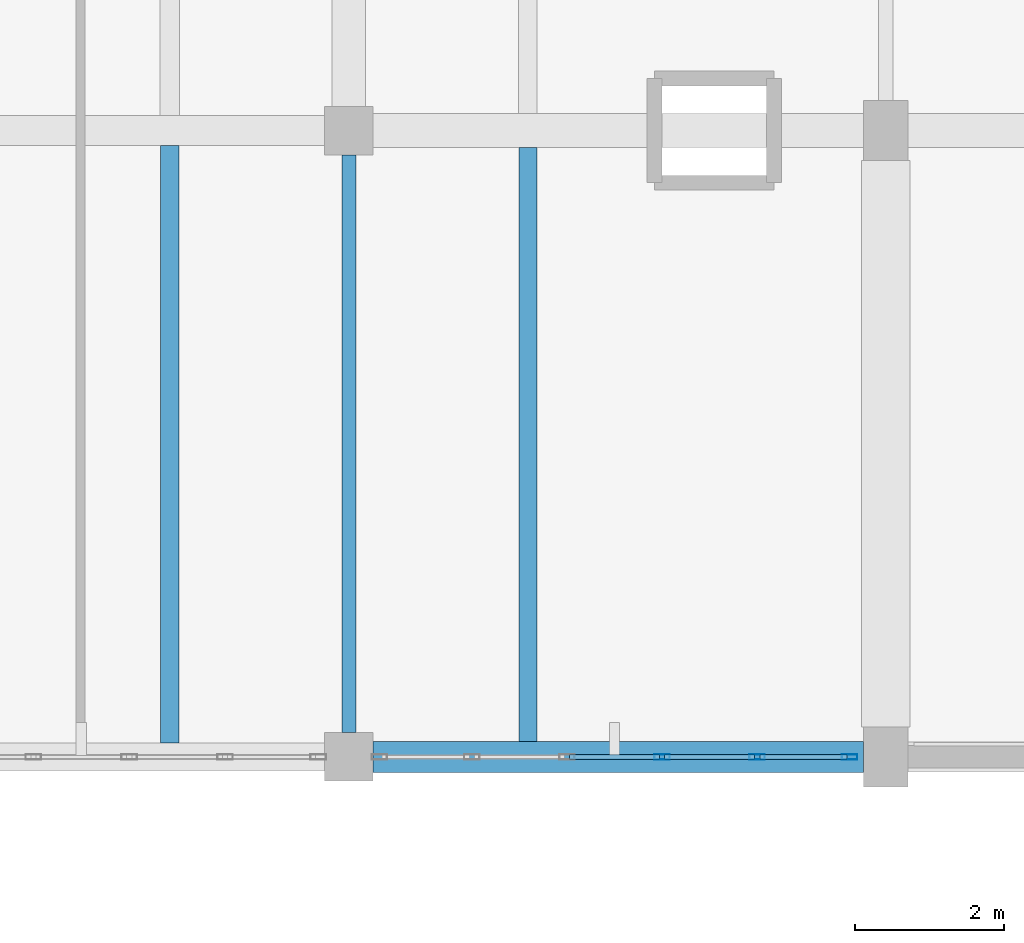
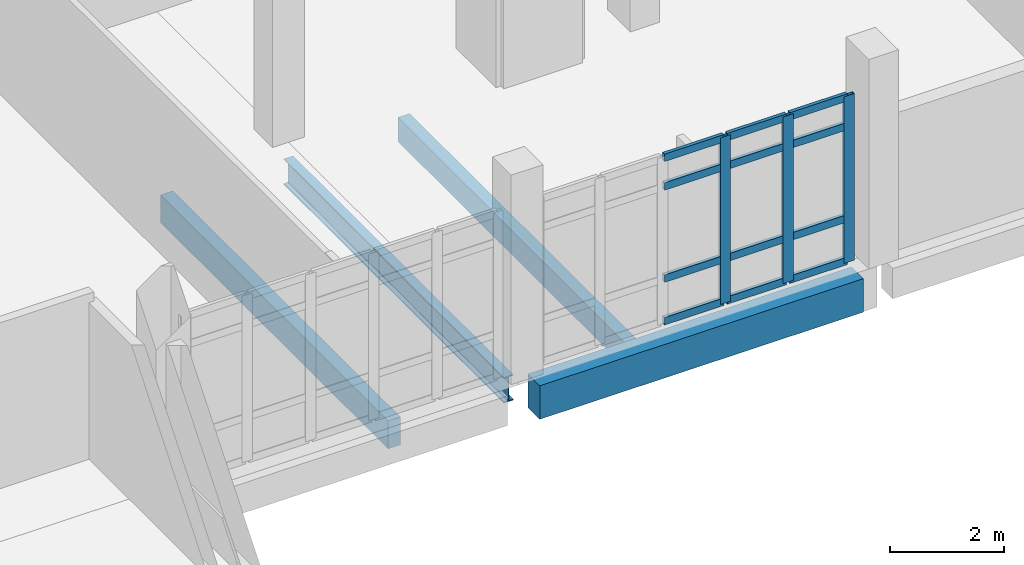
# One storey, part 26 of 57: 15 members, 4 beams, 1 element without a shape of its own.
"""IFC4 building model written with IfcOpenShell, lengths in metres."""

from ifc_helpers import new_model, si_unit, direction, frame, origin, origin_2d, place, context, subcontext, project, spatial, rectangle, hollow_rectangle, i_section, extrude, material, material_profile, profile_set, type_object, element, aggregate, save


model = new_model("IFC4")

# Units and contexts
model_context = context("Model", 3, precision=1e-05, world=origin(), true_north=direction((0.0, 1.0)))
body_context = subcontext(model_context, "Body", "Model", "MODEL_VIEW")
ifc_project = project(units=[si_unit("LENGTHUNIT", "METRE"), si_unit("AREAUNIT", "SQUARE_METRE"), si_unit("VOLUMEUNIT", "CUBIC_METRE"), si_unit("PLANEANGLEUNIT", "RADIAN"), si_unit("MASSUNIT", "GRAM", prefix="KILO")], contexts=[model_context])

# Site, building, storey
site_placement = place(None, origin())
site = spatial("IfcSite", under=ifc_project, at=site_placement, CompositionType="ELEMENT")
building_placement = place(site_placement, origin())
building = spatial("IfcBuilding", under=site, at=building_placement, Name="Kalluvel Institute of Natural Sciences", CompositionType="ELEMENT")
storey_placement = place(building_placement, frame((0.0, 0.0, 23.39990234375)))
storey = spatial("IfcBuildingStorey", under=building, at=storey_placement, Name="L05", CompositionType="ELEMENT", Elevation=23.39990234375)

# Beams
ifc_material_1 = material(Name="Steel E350 Grade 350", Category="steel")
ifc_material_profile_1 = material_profile(ifc_material_1, i_section(OverallWidth=0.18994140625, OverallDepth=0.550048828125, WebThickness=0.01123046875, FlangeThickness=0.019287109375, FilletRadius=0.01806640625, at=origin_2d()), Name="ISMB 550")
ifc_profile_set_1 = profile_set([ifc_material_profile_1], Name="Steel E350 Grade 350")
beam_type_1 = type_object("IfcBeamType", Name="BM-ISMB550", PredefinedType="BEAM", material=ifc_profile_set_1)
beam_1_placement = place(storey_placement, frame((64.39990234375, 103.125, -0.594970703125), z_axis=(0.0, 1.0, 0.0), x_axis=(-1.0, 0.0, 0.0)))
element("IfcBeam", 1, at=beam_1_placement, inside=storey, type_object=beam_type_1, Name="L05 girder GIR-L05-NS-X644-Y1028", PredefinedType="BEAM", context=body_context, shape_type="SweptSolid", body=[
    extrude(i_section(OverallWidth=0.18994140625, OverallDepth=0.550048828125, WebThickness=0.01123046875, FlangeThickness=0.019287109375, FilletRadius=0.01806640625, at=origin_2d()), origin(), (0.0, 0.0, 1.0), 7.75),
])
ifc_material_2 = material(Name="Concrete M40", Category="concrete")
ifc_material_profile_2 = material_profile(ifc_material_2, rectangle(XDim=0.419921875, YDim=0.719970703125, at=origin_2d()), Name="RCB 420x720")
ifc_profile_set_2 = profile_set([ifc_material_profile_2], Name="Concrete M40")
beam_type_2 = type_object("IfcBeamType", Name="BM-RC420x720", PredefinedType="BEAM", material=ifc_profile_set_2)
beam_2_placement = place(storey_placement, frame((64.72509765625, 102.800048828125, -0.679931640625), z_axis=(1.0, 0.0, 0.0), x_axis=(0.0, 1.0, 0.0)))
element("IfcBeam", 2, at=beam_2_placement, inside=storey, type_object=beam_type_2, Name="L05 girder GIR-L05-EW-X644-Y1028", PredefinedType="BEAM", context=body_context, shape_type="SweptSolid", body=[
    extrude(rectangle(XDim=0.419921875, YDim=0.719970703125, at=origin_2d()), origin(), (0.0, 0.0, 1.0), 6.574951171875),
])

# Curtain wall, members
ifc_material_3 = material(Name="Aluminium AW-6063 T6", Category="aluminium")
curtain_wall_type = type_object("IfcCurtainWallType", Name="CW-WET-45", PredefinedType="USERDEFINED", material=ifc_material_3)
curtain_wall_placement = place(storey_placement, origin())
curtain_wall = element("IfcCurtainWall", 3, at=curtain_wall_placement, inside=storey, type_object=curtain_wall_type, Name="L05 Gothic lancet curtain wall CWA-L05-X648-Y1028", ObjectType="UNITISED LANCET FACADE", PredefinedType="USERDEFINED")
ifc_material_profile_3 = material_profile(ifc_material_3, hollow_rectangle(XDim=0.070068359375, YDim=0.2099609375, WallThickness=0.0048828125, at=origin_2d()), Name="CWM 70x210")
ifc_profile_set_3 = profile_set([ifc_material_profile_3], Name="Aluminium AW-6063 T6")
member_type_1 = type_object("IfcMemberType", Name="CWM-70x210", PredefinedType="MULLION", material=ifc_profile_set_3)
member_1_placement = place(storey_placement, frame((68.60009765625, 102.800048828125, 0.0), z_axis=(0.0, 0.0, 1.0), x_axis=(0.0, 1.0, 0.0)))
member_1 = element("IfcMember", 4, at=member_1_placement, type_object=member_type_1, Name="CW-01 mullion 4", PredefinedType="MULLION", context=body_context, shape_type="SweptSolid", body=[
    extrude(hollow_rectangle(XDim=0.070068359375, YDim=0.2099609375, WallThickness=0.0048828125, at=origin_2d()), origin(), (0.0, 0.0, 1.0), 3.580078125),
])
member_2_placement = place(storey_placement, frame((69.875, 102.800048828125, 0.0), z_axis=(0.0, 0.0, 1.0), x_axis=(0.0, 1.0, 0.0)))
member_2 = element("IfcMember", 5, at=member_2_placement, type_object=member_type_1, Name="CW-01 mullion 5", PredefinedType="MULLION", context=body_context, shape_type="SweptSolid", body=[
    extrude(hollow_rectangle(XDim=0.070068359375, YDim=0.2099609375, WallThickness=0.0048828125, at=origin_2d()), origin(), (0.0, 0.0, 1.0), 3.580078125),
])
member_3_placement = place(storey_placement, frame((71.114990234375, 102.800048828125, 0.0), z_axis=(0.0, 0.0, 1.0), x_axis=(0.0, 1.0, 0.0)))
member_3 = element("IfcMember", 6, at=member_3_placement, type_object=member_type_1, Name="CW-01 mullion 6", PredefinedType="MULLION", context=body_context, shape_type="SweptSolid", body=[
    extrude(hollow_rectangle(XDim=0.070068359375, YDim=0.2099609375, WallThickness=0.0048828125, at=origin_2d()), origin(), (0.0, 0.0, 1.0), 3.580078125),
])
ifc_material_profile_4 = material_profile(ifc_material_3, hollow_rectangle(XDim=0.070068359375, YDim=0.159912109375, WallThickness=0.0048828125, at=origin_2d()), Name="CWT 70x160")
ifc_profile_set_4 = profile_set([ifc_material_profile_4], Name="Aluminium AW-6063 T6")
member_type_2 = type_object("IfcMemberType", Name="CWT-70x160", PredefinedType="USERDEFINED", material=ifc_profile_set_4)
member_4_placement = place(storey_placement, frame((67.360107421875, 102.800048828125, 0.03515625), z_axis=(1.0, 0.0, 0.0), x_axis=(0.0, 1.0, 0.0)))
member_4 = element("IfcMember", 7, at=member_4_placement, type_object=member_type_2, Name="CW-01 transom 3.1", ObjectType="TRANSOM", PredefinedType="USERDEFINED", context=body_context, shape_type="SweptSolid", body=[
    extrude(hollow_rectangle(XDim=0.070068359375, YDim=0.159912109375, WallThickness=0.0048828125, at=origin_2d()), origin(), (0.0, 0.0, 1.0), 1.204833984375),
])
member_5_placement = place(storey_placement, frame((67.360107421875, 102.800048828125, 0.9501953125), z_axis=(1.0, 0.0, 0.0), x_axis=(0.0, 1.0, 0.0)))
member_5 = element("IfcMember", 8, at=member_5_placement, type_object=member_type_2, Name="CW-01 transom 3.2", ObjectType="TRANSOM", PredefinedType="USERDEFINED", context=body_context, shape_type="SweptSolid", body=[
    extrude(hollow_rectangle(XDim=0.070068359375, YDim=0.159912109375, WallThickness=0.0048828125, at=origin_2d()), origin(), (0.0, 0.0, 1.0), 1.204833984375),
])
member_6_placement = place(storey_placement, frame((67.360107421875, 102.800048828125, 2.93017578125), z_axis=(1.0, 0.0, 0.0), x_axis=(0.0, 1.0, 0.0)))
member_6 = element("IfcMember", 9, at=member_6_placement, type_object=member_type_2, Name="CW-01 transom 3.3", ObjectType="TRANSOM", PredefinedType="USERDEFINED", context=body_context, shape_type="SweptSolid", body=[
    extrude(hollow_rectangle(XDim=0.070068359375, YDim=0.159912109375, WallThickness=0.0048828125, at=origin_2d()), origin(), (0.0, 0.0, 1.0), 1.204833984375),
])
member_7_placement = place(storey_placement, frame((67.360107421875, 102.800048828125, 3.545166015625), z_axis=(1.0, 0.0, 0.0), x_axis=(0.0, 1.0, 0.0)))
member_7 = element("IfcMember", 10, at=member_7_placement, type_object=member_type_2, Name="CW-01 transom 3.4", ObjectType="TRANSOM", PredefinedType="USERDEFINED", context=body_context, shape_type="SweptSolid", body=[
    extrude(hollow_rectangle(XDim=0.070068359375, YDim=0.159912109375, WallThickness=0.0048828125, at=origin_2d()), origin(), (0.0, 0.0, 1.0), 1.204833984375),
])
member_8_placement = place(storey_placement, frame((68.635009765625, 102.800048828125, 0.03515625), z_axis=(1.0, 0.0, 0.0), x_axis=(0.0, 1.0, 0.0)))
member_8 = element("IfcMember", 11, at=member_8_placement, type_object=member_type_2, Name="CW-01 transom 4.1", ObjectType="TRANSOM", PredefinedType="USERDEFINED", context=body_context, shape_type="SweptSolid", body=[
    extrude(hollow_rectangle(XDim=0.070068359375, YDim=0.159912109375, WallThickness=0.0048828125, at=origin_2d()), origin(), (0.0, 0.0, 1.0), 1.205078125),
])
member_9_placement = place(storey_placement, frame((68.635009765625, 102.800048828125, 0.9501953125), z_axis=(1.0, 0.0, 0.0), x_axis=(0.0, 1.0, 0.0)))
member_9 = element("IfcMember", 12, at=member_9_placement, type_object=member_type_2, Name="CW-01 transom 4.2", ObjectType="TRANSOM", PredefinedType="USERDEFINED", context=body_context, shape_type="SweptSolid", body=[
    extrude(hollow_rectangle(XDim=0.070068359375, YDim=0.159912109375, WallThickness=0.0048828125, at=origin_2d()), origin(), (0.0, 0.0, 1.0), 1.205078125),
])
member_10_placement = place(storey_placement, frame((68.635009765625, 102.800048828125, 2.93017578125), z_axis=(1.0, 0.0, 0.0), x_axis=(0.0, 1.0, 0.0)))
member_10 = element("IfcMember", 13, at=member_10_placement, type_object=member_type_2, Name="CW-01 transom 4.3", ObjectType="TRANSOM", PredefinedType="USERDEFINED", context=body_context, shape_type="SweptSolid", body=[
    extrude(hollow_rectangle(XDim=0.070068359375, YDim=0.159912109375, WallThickness=0.0048828125, at=origin_2d()), origin(), (0.0, 0.0, 1.0), 1.205078125),
])
member_11_placement = place(storey_placement, frame((68.635009765625, 102.800048828125, 3.545166015625), z_axis=(1.0, 0.0, 0.0), x_axis=(0.0, 1.0, 0.0)))
member_11 = element("IfcMember", 14, at=member_11_placement, type_object=member_type_2, Name="CW-01 transom 4.4", ObjectType="TRANSOM", PredefinedType="USERDEFINED", context=body_context, shape_type="SweptSolid", body=[
    extrude(hollow_rectangle(XDim=0.070068359375, YDim=0.159912109375, WallThickness=0.0048828125, at=origin_2d()), origin(), (0.0, 0.0, 1.0), 1.205078125),
])
member_12_placement = place(storey_placement, frame((69.909912109375, 102.800048828125, 0.03515625), z_axis=(1.0, 0.0, 0.0), x_axis=(0.0, 1.0, 0.0)))
member_12 = element("IfcMember", 15, at=member_12_placement, type_object=member_type_2, Name="CW-01 transom 5.1", ObjectType="TRANSOM", PredefinedType="USERDEFINED", context=body_context, shape_type="SweptSolid", body=[
    extrude(hollow_rectangle(XDim=0.070068359375, YDim=0.159912109375, WallThickness=0.0048828125, at=origin_2d()), origin(), (0.0, 0.0, 1.0), 1.170166015625),
])
member_13_placement = place(storey_placement, frame((69.909912109375, 102.800048828125, 0.9501953125), z_axis=(1.0, 0.0, 0.0), x_axis=(0.0, 1.0, 0.0)))
member_13 = element("IfcMember", 16, at=member_13_placement, type_object=member_type_2, Name="CW-01 transom 5.2", ObjectType="TRANSOM", PredefinedType="USERDEFINED", context=body_context, shape_type="SweptSolid", body=[
    extrude(hollow_rectangle(XDim=0.070068359375, YDim=0.159912109375, WallThickness=0.0048828125, at=origin_2d()), origin(), (0.0, 0.0, 1.0), 1.170166015625),
])
member_14_placement = place(storey_placement, frame((69.909912109375, 102.800048828125, 2.93017578125), z_axis=(1.0, 0.0, 0.0), x_axis=(0.0, 1.0, 0.0)))
member_14 = element("IfcMember", 17, at=member_14_placement, type_object=member_type_2, Name="CW-01 transom 5.3", ObjectType="TRANSOM", PredefinedType="USERDEFINED", context=body_context, shape_type="SweptSolid", body=[
    extrude(hollow_rectangle(XDim=0.070068359375, YDim=0.159912109375, WallThickness=0.0048828125, at=origin_2d()), origin(), (0.0, 0.0, 1.0), 1.170166015625),
])
member_15_placement = place(storey_placement, frame((69.909912109375, 102.800048828125, 3.545166015625), z_axis=(1.0, 0.0, 0.0), x_axis=(0.0, 1.0, 0.0)))
member_15 = element("IfcMember", 18, at=member_15_placement, type_object=member_type_2, Name="CW-01 transom 5.4", ObjectType="TRANSOM", PredefinedType="USERDEFINED", context=body_context, shape_type="SweptSolid", body=[
    extrude(hollow_rectangle(XDim=0.070068359375, YDim=0.159912109375, WallThickness=0.0048828125, at=origin_2d()), origin(), (0.0, 0.0, 1.0), 1.170166015625),
])
aggregate(curtain_wall, [member_1, member_2, member_3, member_4, member_5, member_6, member_7, member_8, member_9, member_10, member_11, member_12, member_13, member_14, member_15])

# Beams
ifc_material_profile_5 = material_profile(ifc_material_2, rectangle(XDim=0.239990234375, YDim=0.52001953125, at=origin_2d()), Name="WAF 240x520")
ifc_profile_set_5 = profile_set([ifc_material_profile_5], Name="Concrete M40")
beam_type_3 = type_object("IfcBeamType", Name="WJ-240x520", PredefinedType="JOIST", material=ifc_profile_set_5)
beam_3_placement = place(storey_placement, frame((66.800048828125, 103.010009765625, -0.579833984375), z_axis=(0.0, 1.0, 0.0), x_axis=(-1.0, 0.0, 0.0)))
element("IfcBeam", 19, at=beam_3_placement, inside=storey, type_object=beam_type_3, Name="L05 waffle joist RIB-L05-0406", PredefinedType="JOIST", context=body_context, shape_type="SweptSolid", body=[
    extrude(rectangle(XDim=0.239990234375, YDim=0.52001953125, at=origin_2d()), origin(), (0.0, 0.0, 1.0), 7.965087890625),
])
ifc_material_profile_6 = material_profile(ifc_material_2, rectangle(XDim=0.25, YDim=0.60009765625, at=origin_2d()), Name="WAF 250x600")
ifc_profile_set_6 = profile_set([ifc_material_profile_6], Name="Concrete M40")
beam_type_4 = type_object("IfcBeamType", Name="WJ-250x600", PredefinedType="JOIST", material=ifc_profile_set_6)
beam_4_placement = place(storey_placement, frame((62.0, 102.989990234375, -0.619873046875), z_axis=(0.0, 1.0, 0.0), x_axis=(-1.0, 0.0, 0.0)))
element("IfcBeam", 20, at=beam_4_placement, inside=storey, type_object=beam_type_4, Name="L05 waffle joist RIB-L05-0401", PredefinedType="JOIST", context=body_context, shape_type="SweptSolid", body=[
    extrude(rectangle(XDim=0.25, YDim=0.60009765625, at=origin_2d()), origin(), (0.0, 0.0, 1.0), 8.010009765625),
])

save(model, "model.ifc")
